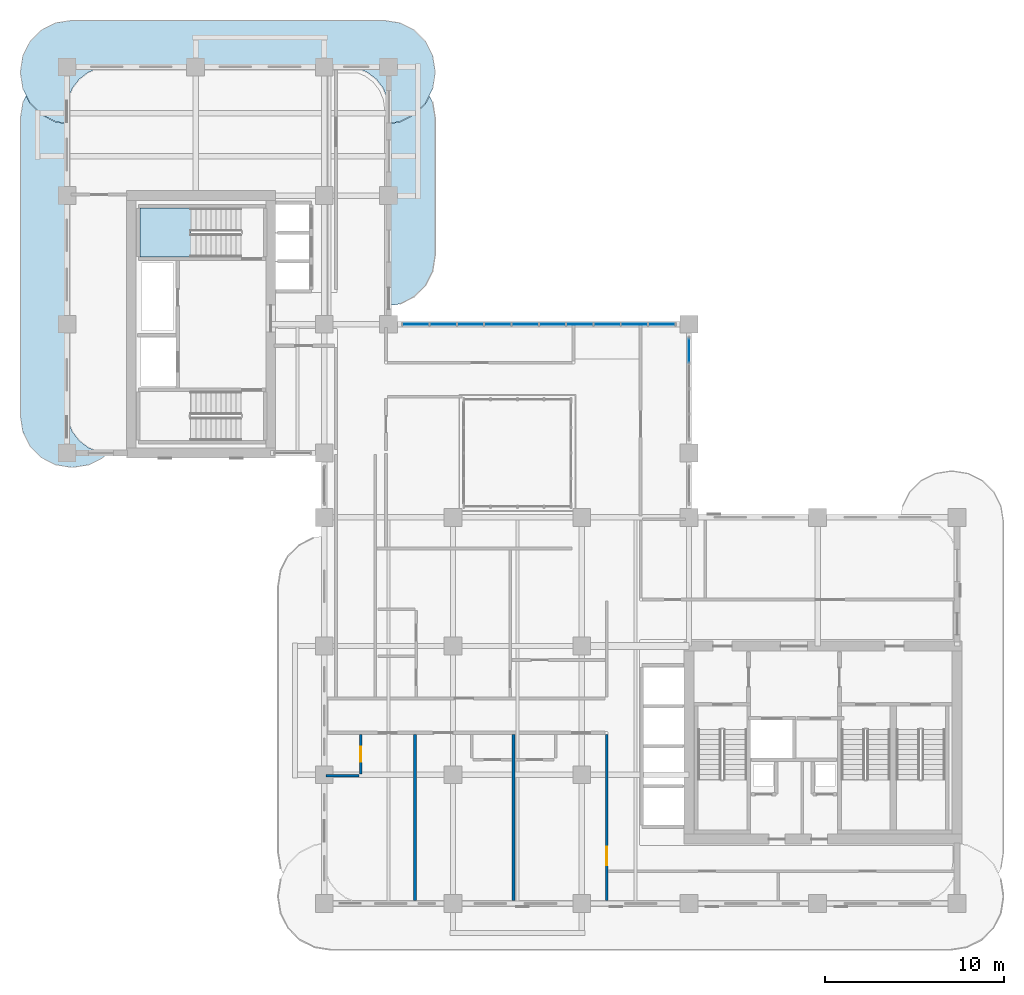
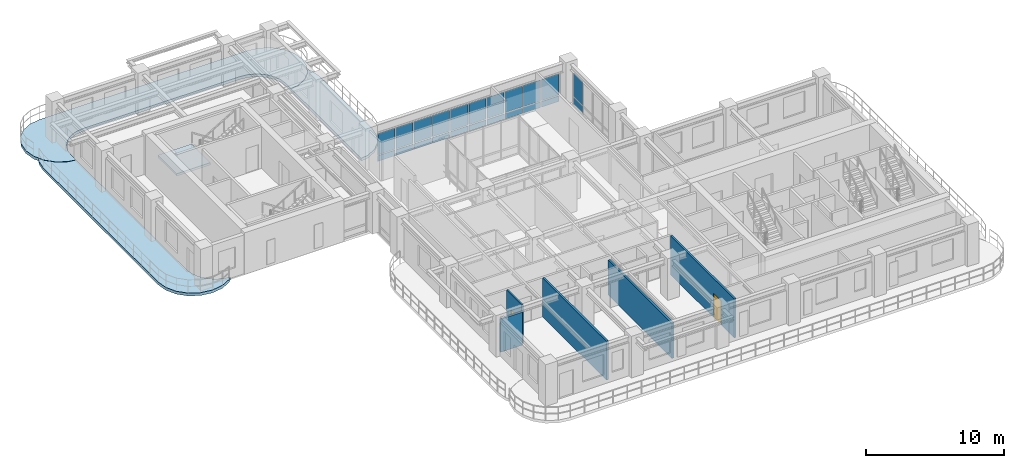
# One storey, part 10 of 20: 22 plates, 5 walls, 4 slabs, 2 doors, 2 openings, 3 elements without a shape of their own.
"""IFC4 building model written with IfcOpenShell, lengths in metres."""

from ifc_helpers import new_model, si_unit, derived_unit, direction, frame, frame_2d, origin, origin_2d, place, context, subcontext, project, spatial, polyline, rectangle, outline, extrude, source, transform, mapped, material, layer, layer_set, type_object, type_shapes, element, fill, aggregate, save


model = new_model("IFC4")

# Units and contexts
model_context = context("Model", 3, precision=1e-05, world=origin(), true_north=direction((0.0, 1.0)))
body_context = subcontext(model_context, "Body", "Model", "MODEL_VIEW")
ifc_project = project(units=[si_unit("LENGTHUNIT", "METRE"), si_unit("AREAUNIT", "SQUARE_METRE"), si_unit("VOLUMEUNIT", "CUBIC_METRE"), si_unit("PLANEANGLEUNIT", "RADIAN"), si_unit("MASSUNIT", "GRAM", prefix="KILO"), si_unit("THERMODYNAMICTEMPERATUREUNIT", "KELVIN"), si_unit("POWERUNIT", "WATT"), derived_unit("THERMALTRANSMITTANCEUNIT", [(si_unit("POWERUNIT", "WATT"), 1), (si_unit("AREAUNIT", "SQUARE_METRE"), -1), (si_unit("THERMODYNAMICTEMPERATUREUNIT", "KELVIN"), -1)])], contexts=[model_context])

# Site, building, storey
site_placement = place(None, origin())
site = spatial("IfcSite", under=ifc_project, at=site_placement, CompositionType="ELEMENT")
building_placement = place(site_placement, origin())
building = spatial("IfcBuilding", under=site, at=building_placement, Name="Zahravan Archway Hotel and Residences", CompositionType="ELEMENT")
storey_placement = place(building_placement, frame((0.0, 0.0, 130.300048828125)))
storey = spatial("IfcBuildingStorey", under=building, at=storey_placement, Name="L32", CompositionType="ELEMENT", Elevation=130.300048828125)

# Slabs
ifc_material_1 = material(Name="Concrete C45/55", Category="concrete")
ifc_layer_1 = layer(ifc_material_1, 0.25, Name="Concrete C45/55", Category="concrete")
ifc_layer_set_1 = layer_set([ifc_layer_1], Name="Concrete C45/55")
slab_type_1 = type_object("IfcSlabType", Name="SLB-BALC-250", PredefinedType="FLOOR", material=ifc_layer_set_1)
slab_1_placement = place(storey_placement, frame((0.0, 0.0, -0.25)))
element("IfcSlab", 1, at=slab_1_placement, inside=storey, type_object=slab_type_1, Name="L32 Wing B North Rounded Balcony Band", PredefinedType="FLOOR", context=body_context, shape_type="SweptSolid", body=[
    extrude(outline(polyline([(-0.630615234375, 43.739501953125), (-1.42529296875, 44.144287109375), (-2.0556640625, 44.77490234375), (-2.46044921875, 45.5693359375), (-2.60009765625, 46.449951171875), (-2.60009765625, 46.550048828125), (-2.46044921875, 47.4306640625), (-2.0556640625, 48.22509765625), (-1.42529296875, 48.855712890625), (-0.630615234375, 49.260498046875), (0.25, 49.39990234375), (17.75, 49.39990234375), (18.630615234375, 49.260498046875), (19.42529296875, 48.855712890625), (20.0556640625, 48.22509765625), (20.46044921875, 47.4306640625), (20.60009765625, 46.550048828125), (20.60009765625, 46.449951171875), (20.46044921875, 45.5693359375), (20.0556640625, 44.77490234375), (19.42529296875, 44.144287109375), (18.630615234375, 43.739501953125), (18.02001953125, 43.642822265625), (18.02001953125, 44.39990234375), (18.019775390625, 44.402587890625), (17.93798828125, 45.023681640625), (17.937744140625, 45.025390625), (17.937255859375, 45.027099609375), (17.936767578125, 45.02880859375), (17.697021484375, 45.607666015625), (17.6962890625, 45.609130859375), (17.6953125, 45.610595703125), (17.6943359375, 45.6123046875), (17.31298828125, 46.109375), (17.311767578125, 46.110595703125), (17.310546875, 46.11181640625), (17.309326171875, 46.113037109375), (16.812255859375, 46.494384765625), (16.810791015625, 46.495361328125), (16.80908203125, 46.49609375), (16.8076171875, 46.4970703125), (16.22900390625, 46.73681640625), (16.227294921875, 46.7373046875), (16.2255859375, 46.73779296875), (16.223876953125, 46.738037109375), (15.6025390625, 46.81982421875), (15.60009765625, 46.820068359375), (2.39990234375, 46.820068359375), (2.3974609375, 46.81982421875), (1.776123046875, 46.738037109375), (1.7744140625, 46.73779296875), (1.772705078125, 46.7373046875), (1.77099609375, 46.73681640625), (1.1923828125, 46.4970703125), (1.19091796875, 46.49609375), (1.189208984375, 46.495361328125), (1.187744140625, 46.494384765625), (0.690673828125, 46.113037109375), (0.689453125, 46.11181640625), (0.688232421875, 46.110595703125), (0.68701171875, 46.109375), (0.3056640625, 45.6123046875), (0.3046875, 45.610595703125), (0.3037109375, 45.609130859375), (0.302978515625, 45.607666015625), (0.063232421875, 45.02880859375), (0.062744140625, 45.027099609375), (0.062255859375, 45.025390625), (0.06201171875, 45.023681640625), (-0.019775390625, 44.402587890625), (-0.02001953125, 44.39990234375), (-0.02001953125, 43.642822265625), (-0.630615234375, 43.739501953125)])), origin(), (0.0, 0.0, 1.0), 0.25),
])
slab_2_placement = place(storey_placement, frame((0.0, 0.0, -0.25)))
element("IfcSlab", 2, at=slab_2_placement, inside=storey, type_object=slab_type_1, Name="L32 Wing B West Rounded Balcony Band", PredefinedType="FLOOR", context=body_context, shape_type="SweptSolid", body=[
    extrude(outline(polyline([(2.025146484375, 24.9443359375), (1.230712890625, 24.53955078125), (0.35009765625, 24.39990234375), (0.25, 24.39990234375), (-0.630615234375, 24.53955078125), (-1.42529296875, 24.9443359375), (-2.0556640625, 25.57470703125), (-2.46044921875, 26.369384765625), (-2.60009765625, 27.25), (-2.60009765625, 43.949951171875), (-2.46044921875, 44.830810546875), (-2.28369140625, 45.177978515625), (-2.073486328125, 44.765625), (-2.072509765625, 44.763916015625), (-2.0712890625, 44.76220703125), (-2.06982421875, 44.7607421875), (-1.439208984375, 44.130126953125), (-1.437744140625, 44.12890625), (-1.43603515625, 44.12744140625), (-1.434326171875, 44.12646484375), (-0.639892578125, 43.7216796875), (-0.637939453125, 43.720703125), (-0.635986328125, 43.72021484375), (-0.6337890625, 43.7197265625), (-0.023193359375, 43.623046875), (-0.021240234375, 43.622802734375), (-0.02001953125, 43.622802734375), (-0.02001953125, 27.60009765625), (-0.019775390625, 27.597412109375), (0.06201171875, 26.976318359375), (0.062255859375, 26.974609375), (0.062744140625, 26.972900390625), (0.063232421875, 26.97119140625), (0.302978515625, 26.392333984375), (0.3037109375, 26.390869140625), (0.3046875, 26.389404296875), (0.3056640625, 26.3876953125), (0.68701171875, 25.890625), (0.688232421875, 25.889404296875), (0.689453125, 25.88818359375), (0.690673828125, 25.886962890625), (1.187744140625, 25.505615234375), (1.189208984375, 25.504638671875), (1.19091796875, 25.50390625), (1.1923828125, 25.5029296875), (1.77099609375, 25.26318359375), (1.772705078125, 25.2626953125), (1.7744140625, 25.26220703125), (1.776123046875, 25.261962890625), (2.27685546875, 25.196044921875), (2.025146484375, 24.9443359375)])), origin(), (0.0, 0.0, 1.0), 0.25),
])
slab_3_placement = place(storey_placement, frame((0.0, 0.0, -0.25)))
element("IfcSlab", 3, at=slab_3_placement, inside=storey, type_object=slab_type_1, Name="L32 Wing B East Rounded Balcony Band", PredefinedType="FLOOR", context=body_context, shape_type="SweptSolid", body=[
    extrude(outline(polyline([(20.46044921875, 44.830810546875), (20.60009765625, 43.949951171875), (20.60009765625, 36.25), (20.46044921875, 35.369384765625), (20.0556640625, 34.57470703125), (19.42529296875, 33.9443359375), (18.630615234375, 33.53955078125), (18.02001953125, 33.44287109375), (18.02001953125, 43.622802734375), (18.021240234375, 43.622802734375), (18.023193359375, 43.623046875), (18.6337890625, 43.7197265625), (18.635986328125, 43.72021484375), (18.637939453125, 43.720703125), (18.639892578125, 43.7216796875), (19.434326171875, 44.12646484375), (19.43603515625, 44.12744140625), (19.437744140625, 44.12890625), (19.439208984375, 44.130126953125), (20.06982421875, 44.7607421875), (20.0712890625, 44.76220703125), (20.072509765625, 44.763916015625), (20.073486328125, 44.765625), (20.28369140625, 45.177978515625), (20.46044921875, 44.830810546875)])), origin(), (0.0, 0.0, 1.0), 0.25),
])

# Stair, slab
ifc_material_2 = material(Name="Concrete C50/60", Category="concrete")
stair_type = type_object("IfcStairType", Name="STR-CORE-1300", PredefinedType="HALF_TURN_STAIR", material=ifc_material_2)
stair_placement = place(storey_placement, origin())
stair = element("IfcStair", 4, at=stair_placement, inside=storey, type_object=stair_type, Name="L32 Core B Exit Stair 2", PredefinedType="HALF_TURN_STAIR")
ifc_layer_2 = layer(ifc_material_2, 0.199951171875, Name="Concrete C50/60", Category="concrete")
ifc_layer_set_2 = layer_set([ifc_layer_2], Name="Concrete C50/60")
slab_type_2 = type_object("IfcSlabType", Name="SLB-LND-200", PredefinedType="LANDING", material=ifc_layer_set_2)
slab_4_placement = place(storey_placement, frame((0.0, 0.0, 1.64990234375)))
slab_4 = element("IfcSlab", 5, at=slab_4_placement, type_object=slab_type_2, Name="ST-B2 landing 1", PredefinedType="LANDING", context=body_context, shape_type="SweptSolid", body=[
    extrude(outline(polyline([(6.929931640625, 38.89990234375), (4.10009765625, 38.89990234375), (4.10009765625, 36.159912109375), (6.929931640625, 36.159912109375), (6.929931640625, 38.89990234375)])), origin(), (0.0, 0.0, 1.0), 0.199951171875),
])
aggregate(stair, [slab_4])

# Curtain wall, plates
ifc_material_3 = material(Name="Bronze-Anodized Unitised Aluminium & Low-E Glass", Category="aluminium")
ifc_layer_3 = layer(ifc_material_3, 0.179931640625, Name="Bronze-Anodized Unitised Aluminium & Low-E Glass", Category="aluminium")
ifc_layer_set_3 = layer_set([ifc_layer_3], Name="Bronze-Anodized Unitised Aluminium & Low-E Glass")
curtain_wall_type = type_object("IfcCurtainWallType", Name="CW-ATR-GLAZ", PredefinedType="NOTDEFINED", material=ifc_layer_set_3)
curtain_wall_1_placement = place(storey_placement, origin())
curtain_wall_1 = element("IfcCurtainWall", 6, at=curtain_wall_1_placement, inside=storey, type_object=curtain_wall_type, Name="L32 Curtain Wall CW-L32-HNG-N-1", PredefinedType="NOTDEFINED")
ifc_material_4 = material(Name="Insulated Terracotta Spandrel Panel", Category="masonry")
ifc_layer_4 = layer(ifc_material_4, 0.0400390625, Name="Insulated Terracotta Spandrel Panel", Category="masonry")
ifc_layer_set_4 = layer_set([ifc_layer_4], Name="Insulated Terracotta Spandrel Panel")
plate_type_1 = type_object("IfcPlateType", Name="CWP-SPN-40", PredefinedType="SHEET", material=ifc_layer_set_4)
shared_shape_1 = source(origin(), body_context, "Body", "SweptSolid", [
    extrude(rectangle(XDim=1.447998046875, YDim=0.0400390625, at=origin_2d()), origin(), (0.0, 0.0, 1.0), 0.492431640625),
])
plate_1_placement = place(storey_placement, frame((19.52392578125, 32.39990234375, 0.10009765625), z_axis=(0.0, 0.0, 1.0), x_axis=(1.0, 0.0, 0.0)))
plate_1 = element("IfcPlate", 7, at=plate_1_placement, type_object=plate_type_1, Name="CW-L32-HNG-N-1 Spandrel Panel 0", PredefinedType="SHEET", context=body_context, shape_type="MappedRepresentation", body=[
    mapped(shared_shape_1, transform((0.0, 0.0, 0.0), scale=1.0)),
])
plate_2_placement = place(storey_placement, frame((21.052001953125, 32.39990234375, 0.10009765625), z_axis=(0.0, 0.0, 1.0), x_axis=(1.0, 0.0, 0.0)))
plate_2 = element("IfcPlate", 8, at=plate_2_placement, type_object=plate_type_1, Name="CW-L32-HNG-N-1 Spandrel Panel 1", PredefinedType="SHEET", context=body_context, shape_type="MappedRepresentation", body=[
    mapped(shared_shape_1, transform((0.0, 0.0, 0.0), scale=1.0)),
])
plate_3_placement = place(storey_placement, frame((22.580078125, 32.39990234375, 0.10009765625), z_axis=(0.0, 0.0, 1.0), x_axis=(1.0, 0.0, 0.0)))
plate_3 = element("IfcPlate", 9, at=plate_3_placement, type_object=plate_type_1, Name="CW-L32-HNG-N-1 Spandrel Panel 2", PredefinedType="SHEET", context=body_context, shape_type="MappedRepresentation", body=[
    mapped(shared_shape_1, transform((0.0, 0.0, 0.0), scale=1.0)),
])
plate_4_placement = place(storey_placement, frame((24.10791015625, 32.39990234375, 0.10009765625), z_axis=(0.0, 0.0, 1.0), x_axis=(1.0, 0.0, 0.0)))
plate_4 = element("IfcPlate", 10, at=plate_4_placement, type_object=plate_type_1, Name="CW-L32-HNG-N-1 Spandrel Panel 3", PredefinedType="SHEET", context=body_context, shape_type="MappedRepresentation", body=[
    mapped(shared_shape_1, transform((0.0, 0.0, 0.0), scale=1.0)),
])
plate_5_placement = place(storey_placement, frame((25.635986328125, 32.39990234375, 0.10009765625), z_axis=(0.0, 0.0, 1.0), x_axis=(1.0, 0.0, 0.0)))
plate_5 = element("IfcPlate", 11, at=plate_5_placement, type_object=plate_type_1, Name="CW-L32-HNG-N-1 Spandrel Panel 4", PredefinedType="SHEET", context=body_context, shape_type="MappedRepresentation", body=[
    mapped(shared_shape_1, transform((0.0, 0.0, 0.0), scale=1.0)),
])
plate_6_placement = place(storey_placement, frame((27.1640625, 32.39990234375, 0.10009765625), z_axis=(0.0, 0.0, 1.0), x_axis=(1.0, 0.0, 0.0)))
plate_6 = element("IfcPlate", 12, at=plate_6_placement, type_object=plate_type_1, Name="CW-L32-HNG-N-1 Spandrel Panel 5", PredefinedType="SHEET", context=body_context, shape_type="MappedRepresentation", body=[
    mapped(shared_shape_1, transform((0.0, 0.0, 0.0), scale=1.0)),
])
plate_7_placement = place(storey_placement, frame((28.69189453125, 32.39990234375, 0.10009765625), z_axis=(0.0, 0.0, 1.0), x_axis=(1.0, 0.0, 0.0)))
plate_7 = element("IfcPlate", 13, at=plate_7_placement, type_object=plate_type_1, Name="CW-L32-HNG-N-1 Spandrel Panel 6", PredefinedType="SHEET", context=body_context, shape_type="MappedRepresentation", body=[
    mapped(shared_shape_1, transform((0.0, 0.0, 0.0), scale=1.0)),
])
plate_8_placement = place(storey_placement, frame((30.219970703125, 32.39990234375, 0.10009765625), z_axis=(0.0, 0.0, 1.0), x_axis=(1.0, 0.0, 0.0)))
plate_8 = element("IfcPlate", 14, at=plate_8_placement, type_object=plate_type_1, Name="CW-L32-HNG-N-1 Spandrel Panel 7", PredefinedType="SHEET", context=body_context, shape_type="MappedRepresentation", body=[
    mapped(shared_shape_1, transform((0.0, 0.0, 0.0), scale=1.0)),
])
plate_9_placement = place(storey_placement, frame((31.748046875, 32.39990234375, 0.10009765625), z_axis=(0.0, 0.0, 1.0), x_axis=(1.0, 0.0, 0.0)))
plate_9 = element("IfcPlate", 15, at=plate_9_placement, type_object=plate_type_1, Name="CW-L32-HNG-N-1 Spandrel Panel 8", PredefinedType="SHEET", context=body_context, shape_type="MappedRepresentation", body=[
    mapped(shared_shape_1, transform((0.0, 0.0, 0.0), scale=1.0)),
])
plate_10_placement = place(storey_placement, frame((33.27587890625, 32.39990234375, 0.10009765625), z_axis=(0.0, 0.0, 1.0), x_axis=(1.0, 0.0, 0.0)))
plate_10 = element("IfcPlate", 16, at=plate_10_placement, type_object=plate_type_1, Name="CW-L32-HNG-N-1 Spandrel Panel 9", PredefinedType="SHEET", context=body_context, shape_type="MappedRepresentation", body=[
    mapped(shared_shape_1, transform((0.0, 0.0, 0.0), scale=1.0)),
])
ifc_material_5 = material(Name="Double-Silver Low-E Insulated Vision Glass", Category="glass")
ifc_layer_5 = layer(ifc_material_5, 0.028076171875, Name="Double-Silver Low-E Insulated Vision Glass", Category="glass")
ifc_layer_set_5 = layer_set([ifc_layer_5], Name="Double-Silver Low-E Insulated Vision Glass")
plate_type_2 = type_object("IfcPlateType", Name="CWP-GLZ-28", PredefinedType="CURTAIN_PANEL", material=ifc_layer_set_5)
shared_shape_2 = source(origin(), body_context, "Body", "SweptSolid", [
    extrude(rectangle(XDim=1.447998046875, YDim=0.028076171875, at=origin_2d()), origin(), (0.0, 0.0, 1.0), 1.862548828125),
])
plate_11_placement = place(storey_placement, frame((19.52392578125, 32.39990234375, 0.67236328125), z_axis=(0.0, 0.0, 1.0), x_axis=(1.0, 0.0, 0.0)))
plate_11 = element("IfcPlate", 17, at=plate_11_placement, type_object=plate_type_2, Name="CW-L32-HNG-N-1 Low-E Vision Panel 0", PredefinedType="CURTAIN_PANEL", context=body_context, shape_type="MappedRepresentation", body=[
    mapped(shared_shape_2, transform((0.0, 0.0, 0.0), scale=1.0)),
])
plate_12_placement = place(storey_placement, frame((21.052001953125, 32.39990234375, 0.67236328125), z_axis=(0.0, 0.0, 1.0), x_axis=(1.0, 0.0, 0.0)))
plate_12 = element("IfcPlate", 18, at=plate_12_placement, type_object=plate_type_2, Name="CW-L32-HNG-N-1 Low-E Vision Panel 1", PredefinedType="CURTAIN_PANEL", context=body_context, shape_type="MappedRepresentation", body=[
    mapped(shared_shape_2, transform((0.0, 0.0, 0.0), scale=1.0)),
])
plate_13_placement = place(storey_placement, frame((22.580078125, 32.39990234375, 0.67236328125), z_axis=(0.0, 0.0, 1.0), x_axis=(1.0, 0.0, 0.0)))
plate_13 = element("IfcPlate", 19, at=plate_13_placement, type_object=plate_type_2, Name="CW-L32-HNG-N-1 Low-E Vision Panel 2", PredefinedType="CURTAIN_PANEL", context=body_context, shape_type="MappedRepresentation", body=[
    mapped(shared_shape_2, transform((0.0, 0.0, 0.0), scale=1.0)),
])
plate_14_placement = place(storey_placement, frame((24.10791015625, 32.39990234375, 0.67236328125), z_axis=(0.0, 0.0, 1.0), x_axis=(1.0, 0.0, 0.0)))
plate_14 = element("IfcPlate", 20, at=plate_14_placement, type_object=plate_type_2, Name="CW-L32-HNG-N-1 Low-E Vision Panel 3", PredefinedType="CURTAIN_PANEL", context=body_context, shape_type="MappedRepresentation", body=[
    mapped(shared_shape_2, transform((0.0, 0.0, 0.0), scale=1.0)),
])
plate_15_placement = place(storey_placement, frame((25.635986328125, 32.39990234375, 0.67236328125), z_axis=(0.0, 0.0, 1.0), x_axis=(1.0, 0.0, 0.0)))
plate_15 = element("IfcPlate", 21, at=plate_15_placement, type_object=plate_type_2, Name="CW-L32-HNG-N-1 Low-E Vision Panel 4", PredefinedType="CURTAIN_PANEL", context=body_context, shape_type="MappedRepresentation", body=[
    mapped(shared_shape_2, transform((0.0, 0.0, 0.0), scale=1.0)),
])
plate_16_placement = place(storey_placement, frame((27.1640625, 32.39990234375, 0.67236328125), z_axis=(0.0, 0.0, 1.0), x_axis=(1.0, 0.0, 0.0)))
plate_16 = element("IfcPlate", 22, at=plate_16_placement, type_object=plate_type_2, Name="CW-L32-HNG-N-1 Low-E Vision Panel 5", PredefinedType="CURTAIN_PANEL", context=body_context, shape_type="MappedRepresentation", body=[
    mapped(shared_shape_2, transform((0.0, 0.0, 0.0), scale=1.0)),
])
plate_17_placement = place(storey_placement, frame((28.69189453125, 32.39990234375, 0.67236328125), z_axis=(0.0, 0.0, 1.0), x_axis=(1.0, 0.0, 0.0)))
plate_17 = element("IfcPlate", 23, at=plate_17_placement, type_object=plate_type_2, Name="CW-L32-HNG-N-1 Low-E Vision Panel 6", PredefinedType="CURTAIN_PANEL", context=body_context, shape_type="MappedRepresentation", body=[
    mapped(shared_shape_2, transform((0.0, 0.0, 0.0), scale=1.0)),
])
plate_18_placement = place(storey_placement, frame((30.219970703125, 32.39990234375, 0.67236328125), z_axis=(0.0, 0.0, 1.0), x_axis=(1.0, 0.0, 0.0)))
plate_18 = element("IfcPlate", 24, at=plate_18_placement, type_object=plate_type_2, Name="CW-L32-HNG-N-1 Low-E Vision Panel 7", PredefinedType="CURTAIN_PANEL", context=body_context, shape_type="MappedRepresentation", body=[
    mapped(shared_shape_2, transform((0.0, 0.0, 0.0), scale=1.0)),
])
plate_19_placement = place(storey_placement, frame((31.748046875, 32.39990234375, 0.67236328125), z_axis=(0.0, 0.0, 1.0), x_axis=(1.0, 0.0, 0.0)))
plate_19 = element("IfcPlate", 25, at=plate_19_placement, type_object=plate_type_2, Name="CW-L32-HNG-N-1 Low-E Vision Panel 8", PredefinedType="CURTAIN_PANEL", context=body_context, shape_type="MappedRepresentation", body=[
    mapped(shared_shape_2, transform((0.0, 0.0, 0.0), scale=1.0)),
])
plate_20_placement = place(storey_placement, frame((33.27587890625, 32.39990234375, 0.67236328125), z_axis=(0.0, 0.0, 1.0), x_axis=(1.0, 0.0, 0.0)))
plate_20 = element("IfcPlate", 26, at=plate_20_placement, type_object=plate_type_2, Name="CW-L32-HNG-N-1 Low-E Vision Panel 9", PredefinedType="CURTAIN_PANEL", context=body_context, shape_type="MappedRepresentation", body=[
    mapped(shared_shape_2, transform((0.0, 0.0, 0.0), scale=1.0)),
])
aggregate(curtain_wall_1, [plate_1, plate_11, plate_2, plate_12, plate_3, plate_13, plate_4, plate_14, plate_5, plate_15, plate_6, plate_16, plate_7, plate_17, plate_8, plate_18, plate_9, plate_19, plate_10, plate_20])

curtain_wall_2_placement = place(storey_placement, origin())
curtain_wall_2 = element("IfcCurtainWall", 27, at=curtain_wall_2_placement, inside=storey, type_object=curtain_wall_type, Name="L32 Curtain Wall CW-L32-HNG-E-2", PredefinedType="NOTDEFINED")
shared_shape_3 = source(origin(), body_context, "Body", "SweptSolid", [
    extrude(rectangle(XDim=1.340087890625, YDim=0.0400390625, at=origin_2d()), origin(), (0.0, 0.0, 1.0), 0.564453125),
])
plate_21_placement = place(storey_placement, frame((34.800048828125, 30.929931640625, 0.099853515625), z_axis=(0.0, 0.0, 1.0), x_axis=(0.0, 1.0, 0.0)))
plate_21 = element("IfcPlate", 28, at=plate_21_placement, type_object=plate_type_1, Name="CW-L32-HNG-E-2 Spandrel Panel 3", PredefinedType="SHEET", context=body_context, shape_type="MappedRepresentation", body=[
    mapped(shared_shape_3, transform((0.0, 0.0, 0.0), scale=1.0)),
])
shared_shape_4 = source(origin(), body_context, "Body", "SweptSolid", [
    extrude(rectangle(XDim=1.340087890625, YDim=0.028076171875, at=origin_2d()), origin(), (0.0, 0.0, 1.0), 2.090576171875),
])
plate_22_placement = place(storey_placement, frame((34.800048828125, 30.929931640625, 0.744140625), z_axis=(0.0, 0.0, 1.0), x_axis=(0.0, 1.0, 0.0)))
plate_22 = element("IfcPlate", 29, at=plate_22_placement, type_object=plate_type_2, Name="CW-L32-HNG-E-2 Low-E Vision Panel 3", PredefinedType="CURTAIN_PANEL", context=body_context, shape_type="MappedRepresentation", body=[
    mapped(shared_shape_4, transform((0.0, 0.0, 0.0), scale=1.0)),
])
aggregate(curtain_wall_2, [plate_21, plate_22])

# Wall, opening, door
ifc_material_6 = material(Name="Fire-Rated Gypsum & Concrete Block", Category="concrete")
ifc_layer_6 = layer(ifc_material_6, 0.159912109375, Name="Fire-Rated Gypsum & Concrete Block", Category="concrete")
ifc_layer_set_6 = layer_set([ifc_layer_6], Name="Fire-Rated Gypsum & Concrete Block")
wall_type_1 = type_object("IfcWallType", Name="PW-CORR-160", PredefinedType="PARTITIONING", material=ifc_layer_set_6)
wall_1_placement = place(storey_placement, frame((30.199951171875, 0.16796875, 0.0), z_axis=(0.0, 0.0, 1.0), x_axis=(0.0, 1.0, 0.0)))
wall_1 = element("IfcWall", 30, at=wall_1_placement, inside=storey, type_object=wall_type_1, Name="L32 Partition WA-SRW", PredefinedType="PARTITIONING", context=body_context, shape_type="SweptSolid", body=[
    extrude(rectangle(XDim=9.2919921875, YDim=0.159912109375, at=frame_2d((4.64599609375, 0.0))), origin(), (0.0, 0.0, 1.0), 3.449951171875),
])
opening_1_placement = place(wall_1_placement, frame((1.95703125, 0.0, 0.0)))
opening_1 = element("IfcOpeningElement", 31, at=opening_1_placement, cuts=wall_1, Name="Opening FD-L2", PredefinedType="OPENING", context=body_context, shape_type="SweptSolid", body=[
    extrude(rectangle(XDim=1.050048828125, YDim=2.14990234375, at=frame_2d((0.52490234375, 1.074951171875))), frame((0.0, 0.08984375, 0.0), z_axis=(0.0, -1.0, 0.0), x_axis=(1.0, 0.0, 0.0)), (0.0, 0.0, 1.0), 0.179931640625),
])
ifc_material_7 = material(Name="Fire-Rated Painted Steel", Category="steel")
door_type_1 = type_object("IfcDoorType", Name="FD-LOBBY-1100", OperationType="NOTDEFINED", PredefinedType="DOOR", material=ifc_material_7)
shared_shape_5 = source(origin(), body_context, "Body", "SweptSolid", [
    extrude(rectangle(XDim=1.050048828125, YDim=2.14990234375, at=frame_2d((0.52490234375, 1.074951171875))), frame((0.0, 0.02490234375, 0.0), z_axis=(0.0, -1.0, 0.0), x_axis=(1.0, 0.0, 0.0)), (0.0, 0.0, 1.0), 0.050048828125),
])
type_shapes(door_type_1, [shared_shape_5])
door_1_placement = place(opening_1_placement, origin())
door_1 = element("IfcDoor", 32, at=door_1_placement, inside=storey, type_object=door_type_1, Name="L32 South Riser Corridor Door", OperationType="SINGLE_SWING_RIGHT", OverallHeight=2.14990234375, OverallWidth=1.050048828125, PredefinedType="DOOR", context=body_context, shape_type="MappedRepresentation", body=[
    mapped(shared_shape_5, transform((0.0, 0.0, 0.0), scale=1.0)),
])
fill(opening_1, door_1)

# Walls
ifc_material_8 = material(Name="Acoustic Stud Partition")
ifc_layer_7 = layer(ifc_material_8, 0.169921875, Name="Acoustic Stud Partition")
ifc_layer_set_7 = layer_set([ifc_layer_7], Name="Acoustic Stud Partition")
wall_type_2 = type_object("IfcWallType", Name="PW-UNIT-170", PredefinedType="PARTITIONING", material=ifc_layer_set_7)
wall_2_placement = place(storey_placement, frame((19.47998046875, 0.16796875, 0.0), z_axis=(0.0, 0.0, 1.0), x_axis=(0.0, 1.0, 0.0)))
element("IfcWall", 33, at=wall_2_placement, inside=storey, type_object=wall_type_2, Name="L32 Partition WAS-0A", PredefinedType="PARTITIONING", context=body_context, shape_type="SweptSolid", body=[
    extrude(rectangle(XDim=9.2919921875, YDim=0.169921875, at=frame_2d((4.64599609375, 0.0))), origin(), (0.0, 0.0, 1.0), 3.449951171875),
])
wall_3_placement = place(storey_placement, frame((24.986083984375, 0.16796875, 0.0), z_axis=(0.0, 0.0, 1.0), x_axis=(0.0, 1.0, 0.0)))
element("IfcWall", 34, at=wall_3_placement, inside=storey, type_object=wall_type_2, Name="L32 Partition WAS-0B", PredefinedType="PARTITIONING", context=body_context, shape_type="SweptSolid", body=[
    extrude(rectangle(XDim=9.2919921875, YDim=0.169921875, at=frame_2d((4.64599609375, 0.0))), origin(), (0.0, 0.0, 1.0), 3.10498046875),
])

# Wall, opening, door
ifc_material_9 = material(Name="Moisture-Resistant Blockwork", Category="masonry")
ifc_layer_8 = layer(ifc_material_9, 0.139892578125, Name="Moisture-Resistant Blockwork", Category="masonry")
ifc_layer_set_8 = layer_set([ifc_layer_8], Name="Moisture-Resistant Blockwork")
wall_type_3 = type_object("IfcWallType", Name="PW-WET-140", PredefinedType="PARTITIONING", material=ifc_layer_set_8)
wall_4_placement = place(storey_placement, frame((16.431884765625, 7.239990234375, 0.0), z_axis=(0.0, 0.0, 1.0), x_axis=(0.0, 1.0, 0.0)))
wall_4 = element("IfcWall", 35, at=wall_4_placement, inside=storey, type_object=wall_type_3, Name="L32 Partition HKB-V1", PredefinedType="PARTITIONING", context=body_context, shape_type="SweptSolid", body=[
    extrude(rectangle(XDim=2.219970703125, YDim=0.139892578125, at=frame_2d((1.10986328125, 0.0))), origin(), (0.0, 0.0, 1.0), 3.449951171875),
])
opening_2_placement = place(wall_4_placement, frame((0.68505859375, 0.0, 0.0)))
opening_2 = element("IfcOpeningElement", 36, at=opening_2_placement, cuts=wall_4, Name="Opening D-B1", PredefinedType="OPENING", context=body_context, shape_type="SweptSolid", body=[
    extrude(rectangle(XDim=0.85009765625, YDim=2.10009765625, at=frame_2d((0.425048828125, 1.050048828125))), frame((0.0, 0.080078125, 0.0), z_axis=(0.0, -1.0, 0.0), x_axis=(1.0, 0.0, 0.0)), (0.0, 0.0, 1.0), 0.159912109375),
])
ifc_material_10 = material(Name="Hardwood Veneer Timber", Category="wood")
door_type_2 = type_object("IfcDoorType", Name="ID-BATH-850", OperationType="NOTDEFINED", PredefinedType="DOOR", material=ifc_material_10)
shared_shape_6 = source(origin(), body_context, "Body", "SweptSolid", [
    extrude(rectangle(XDim=0.85009765625, YDim=2.10009765625, at=frame_2d((0.425048828125, 1.050048828125))), frame((0.0, 0.02490234375, 0.0), z_axis=(0.0, -1.0, 0.0), x_axis=(1.0, 0.0, 0.0)), (0.0, 0.0, 1.0), 0.050048828125),
])
type_shapes(door_type_2, [shared_shape_6])
door_2_placement = place(opening_2_placement, origin())
door_2 = element("IfcDoor", 37, at=door_2_placement, inside=storey, type_object=door_type_2, Name="L32 Guestroom 1 En-Suite Door", OperationType="SINGLE_SWING_RIGHT", OverallHeight=2.10009765625, OverallWidth=0.85009765625, PredefinedType="DOOR", context=body_context, shape_type="MappedRepresentation", body=[
    mapped(shared_shape_6, transform((0.0, 0.0, 0.0), scale=1.0)),
])
fill(opening_2, door_2)

# Wall
wall_5_placement = place(storey_placement, frame((14.489990234375, 7.14990234375, 0.0), z_axis=(0.0, 0.0, 1.0), x_axis=(1.0, 0.0, 0.0)))
element("IfcWall", 38, at=wall_5_placement, inside=storey, type_object=wall_type_3, Name="L32 Partition HKB-H1", PredefinedType="PARTITIONING", context=body_context, shape_type="SweptSolid", body=[
    extrude(rectangle(XDim=1.85205078125, YDim=0.139892578125, at=frame_2d((0.926025390625, 0.0))), origin(), (0.0, 0.0, 1.0), 2.93505859375),
])

save(model, "model.ifc")
